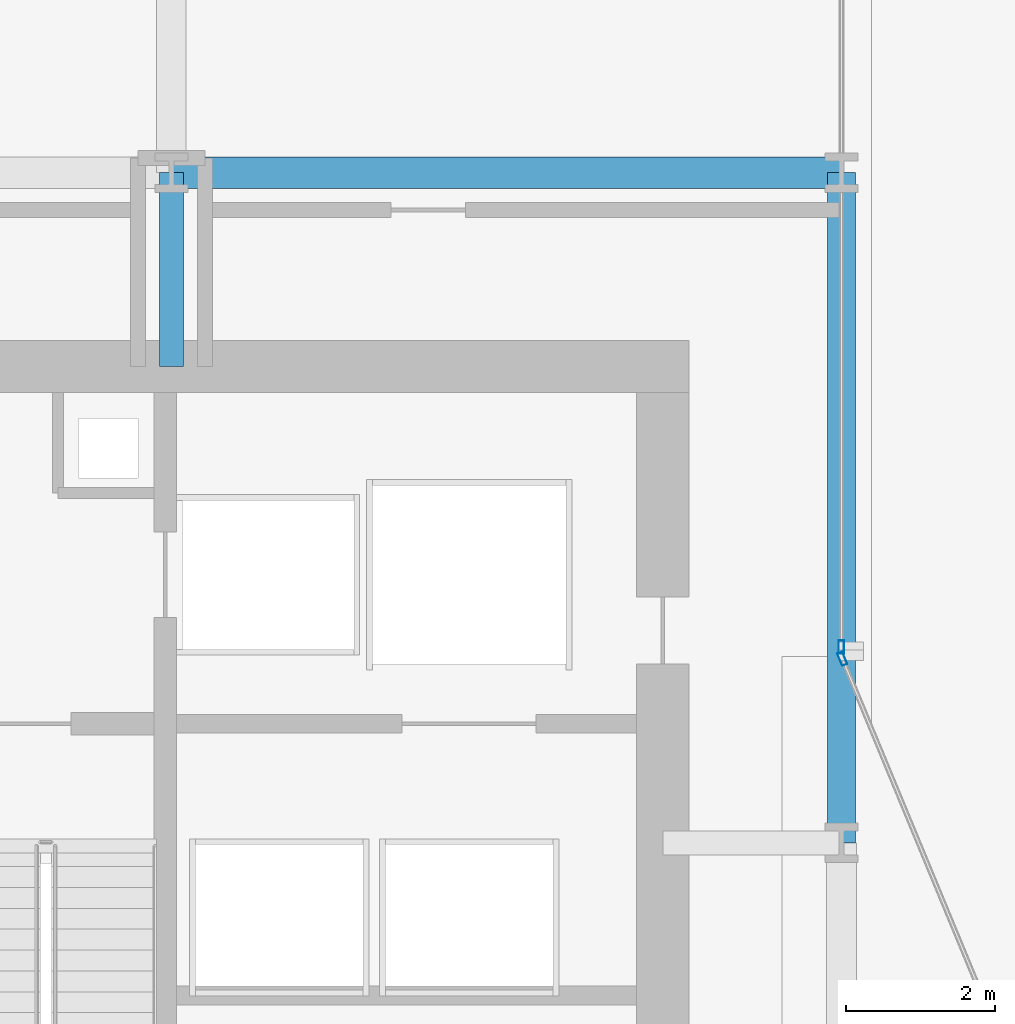
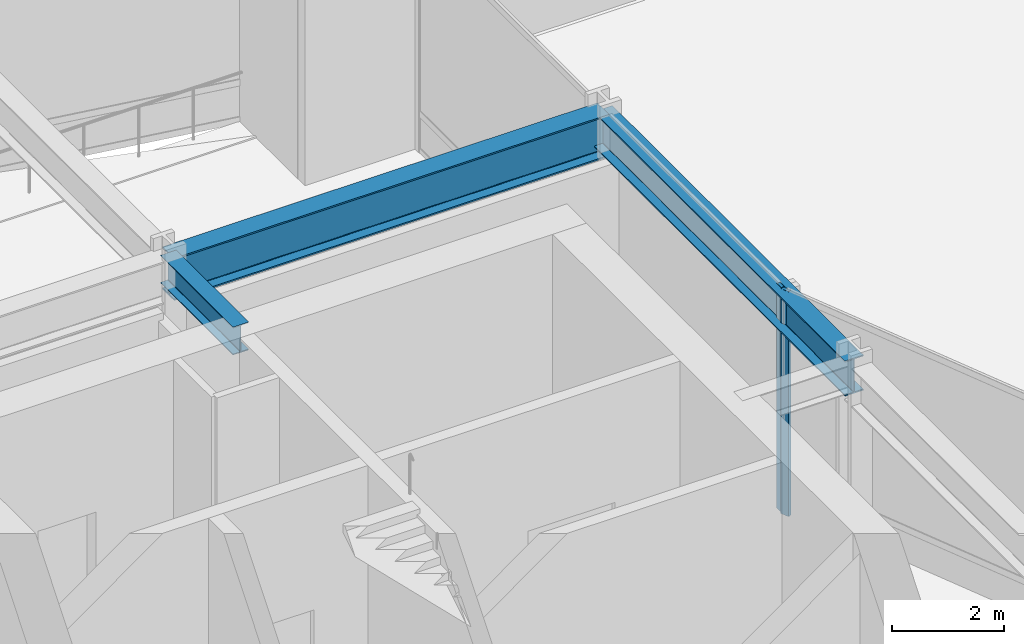
# One storey, part 19 of 37: 3 beams, 2 members, 2 elements without a shape of their own.
"""IFC4 building model written with IfcOpenShell, lengths in metres."""

from ifc_helpers import new_model, si_unit, direction, frame, origin, origin_2d, place, context, subcontext, project, spatial, hollow_rectangle, i_section, extrude, material, layer, layer_set, material_profile, profile_set, type_object, element, aggregate, save


model = new_model("IFC4")

# Units and contexts
model_context = context("Model", 3, precision=1e-05, world=origin(), true_north=direction((0.0, 1.0)))
body_context = subcontext(model_context, "Body", "Model", "MODEL_VIEW")
ifc_project = project(units=[si_unit("LENGTHUNIT", "METRE"), si_unit("AREAUNIT", "SQUARE_METRE"), si_unit("VOLUMEUNIT", "CUBIC_METRE"), si_unit("PLANEANGLEUNIT", "RADIAN"), si_unit("MASSUNIT", "GRAM", prefix="KILO")], contexts=[model_context])

# Site, building, storey
site_placement = place(None, origin())
site = spatial("IfcSite", under=ifc_project, at=site_placement, CompositionType="ELEMENT")
building_placement = place(site_placement, origin())
building = spatial("IfcBuilding", under=site, at=building_placement, Name="Solvaryn Broadcast Tower", CompositionType="ELEMENT")
storey_placement = place(building_placement, frame((0.0, 0.0, 30.800048828125)))
storey = spatial("IfcBuildingStorey", under=building, at=storey_placement, Name="L06", CompositionType="ELEMENT", Elevation=30.800048828125)

# Beams
ifc_material_1 = material(Name="Steel ASTM A992 Grade 50", Category="steel")
ifc_material_profile_1 = material_profile(ifc_material_1, i_section(OverallWidth=0.323974609375, OverallDepth=0.611083984375, WebThickness=0.0126953125, FlangeThickness=0.01904296875, FilletRadius=0.014892578125, at=origin_2d()))
ifc_profile_set_1 = profile_set([ifc_material_profile_1], Name="Steel ASTM A992 Grade 50")
beam_type_1 = type_object("IfcBeamType", Name="BM-B1-W24X104", PredefinedType="BEAM", material=ifc_profile_set_1)
beam_1_placement = place(storey_placement, frame((18.0, 42.39990234375, 4.614501953125), z_axis=(0.0, 1.0, 0.0), x_axis=(-1.0, 0.0, 0.0)))
element("IfcBeam", 1, at=beam_1_placement, inside=storey, type_object=beam_type_1, Name="L06 Core Tie Beam CTW3", PredefinedType="BEAM", context=body_context, shape_type="SweptSolid", body=[
    extrude(i_section(OverallWidth=0.323974609375, OverallDepth=0.611083984375, WebThickness=0.0126953125, FlangeThickness=0.01904296875, FilletRadius=0.014892578125, at=origin_2d()), origin(), (0.0, 0.0, 1.0), 2.60009765625),
])
ifc_material_2 = material(Name="Steel ASTM A992 Grade 50", Category="steel")
ifc_material_profile_2 = material_profile(ifc_material_2, i_section(OverallWidth=0.41796875, OverallDepth=0.927001953125, WebThickness=0.019287109375, FlangeThickness=0.031982421875, FilletRadius=0.02392578125, at=origin_2d()))
ifc_profile_set_2 = profile_set([ifc_material_profile_2], Name="Steel ASTM A992 Grade 50")
beam_type_2 = type_object("IfcBeamType", Name="BM-G2-W36X231", PredefinedType="BEAM", material=ifc_profile_set_2)
beam_2_placement = place(storey_placement, frame((18.0, 45.0, 4.45654296875), z_axis=(1.0, 0.0, 0.0), x_axis=(0.0, 1.0, 0.0)))
element("IfcBeam", 2, at=beam_2_placement, inside=storey, type_object=beam_type_2, Name="L06 Primary Beam X (18-27 @ Y=45)", PredefinedType="BEAM", context=body_context, shape_type="SweptSolid", body=[
    extrude(i_section(OverallWidth=0.41796875, OverallDepth=0.927001953125, WebThickness=0.019287109375, FlangeThickness=0.031982421875, FilletRadius=0.02392578125, at=origin_2d()), origin(), (0.0, 0.0, 1.0), 9.0),
])
ifc_material_3 = material(Name="Steel ASTM A992 Grade 50", Category="steel")
ifc_material_profile_3 = material_profile(ifc_material_3, i_section(OverallWidth=0.381103515625, OverallDepth=0.77294921875, WebThickness=0.0166015625, FlangeThickness=0.027099609375, FilletRadius=0.01806640625, at=origin_2d()))
ifc_profile_set_3 = profile_set([ifc_material_profile_3], Name="Steel ASTM A992 Grade 50")
beam_type_3 = type_object("IfcBeamType", Name="BM-SP1-W30X173", PredefinedType="USERDEFINED", material=ifc_profile_set_3)
beam_3_placement = place(storey_placement, frame((27.0, 36.0, 4.533447265625), z_axis=(0.0, 1.0, 0.0), x_axis=(-1.0, 0.0, 0.0)))
element("IfcBeam", 3, at=beam_3_placement, inside=storey, type_object=beam_type_3, Name="L06 Spandrel Beam Y (36-45 @ X=27)", ObjectType="SPANDREL", PredefinedType="USERDEFINED", context=body_context, shape_type="SweptSolid", body=[
    extrude(i_section(OverallWidth=0.381103515625, OverallDepth=0.77294921875, WebThickness=0.0166015625, FlangeThickness=0.027099609375, FilletRadius=0.01806640625, at=origin_2d()), origin(), (0.0, 0.0, 1.0), 9.0),
])

# Curtain wall, member
ifc_material_4 = material(Name="Aluminium and Terracotta Unitised Curtain Wall", Category="masonry")
ifc_layer = layer(ifc_material_4, 0.199951171875)
ifc_layer_set = layer_set([ifc_layer], Name="CW-SYS2-LOWMID")
curtain_wall_type = type_object("IfcCurtainWallType", Name="CW-SYS2-LOWMID", PredefinedType="NOTDEFINED", material=ifc_layer_set)
curtain_wall_1_placement = place(storey_placement, origin())
curtain_wall_1 = element("IfcCurtainWall", 4, at=curtain_wall_1_placement, inside=storey, type_object=curtain_wall_type, Name="L06 Curtain Wall IV", PredefinedType="NOTDEFINED")
ifc_material_5 = material(Name="Anodised Aluminium 6063-T6", Category="aluminium")
ifc_material_profile_4 = material_profile(ifc_material_5, hollow_rectangle(XDim=0.074951171875, YDim=0.179931640625, WallThickness=0.00390625, InnerFilletRadius=0.00390625, OuterFilletRadius=0.008056640625, at=origin_2d()))
ifc_profile_set_4 = profile_set([ifc_material_profile_4], Name="Anodised Aluminium 6063-T6")
member_type = type_object("IfcMemberType", Name="CW-MUL-180", PredefinedType="MULLION", material=ifc_profile_set_4)
member_1_placement = place(storey_placement, frame((27.0, 38.6298828125, 0.0), z_axis=(0.0, 0.0, 1.0), x_axis=(1.0, 0.0, 0.0)))
member_1 = element("IfcMember", 5, at=member_1_placement, type_object=member_type, Name="CWS2 mullion 2", PredefinedType="MULLION", context=body_context, shape_type="SweptSolid", body=[
    extrude(hollow_rectangle(XDim=0.074951171875, YDim=0.179931640625, WallThickness=0.00390625, InnerFilletRadius=0.00390625, OuterFilletRadius=0.008056640625, at=origin_2d()), origin(), (0.0, 0.0, 1.0), 4.919921875),
])
aggregate(curtain_wall_1, [member_1])

curtain_wall_2_placement = place(storey_placement, origin())
curtain_wall_2 = element("IfcCurtainWall", 6, at=curtain_wall_2_placement, inside=storey, type_object=curtain_wall_type, Name="L06 Curtain Wall CN2", PredefinedType="NOTDEFINED")
member_2_placement = place(storey_placement, frame((27.011474609375, 38.47216796875, 0.0), z_axis=(0.0, 0.0, 1.0), x_axis=(-0.923894983957, -0.382646127145, 0.0)))
member_2 = element("IfcMember", 7, at=member_2_placement, type_object=member_type, Name="CWS2 mullion 2", PredefinedType="MULLION", context=body_context, shape_type="SweptSolid", body=[
    extrude(hollow_rectangle(XDim=0.074951171875, YDim=0.179931640625, WallThickness=0.00390625, InnerFilletRadius=0.00390625, OuterFilletRadius=0.008056640625, at=origin_2d()), origin(), (0.0, 0.0, 1.0), 4.919921875),
])
aggregate(curtain_wall_2, [member_2])

save(model, "model.ifc")
